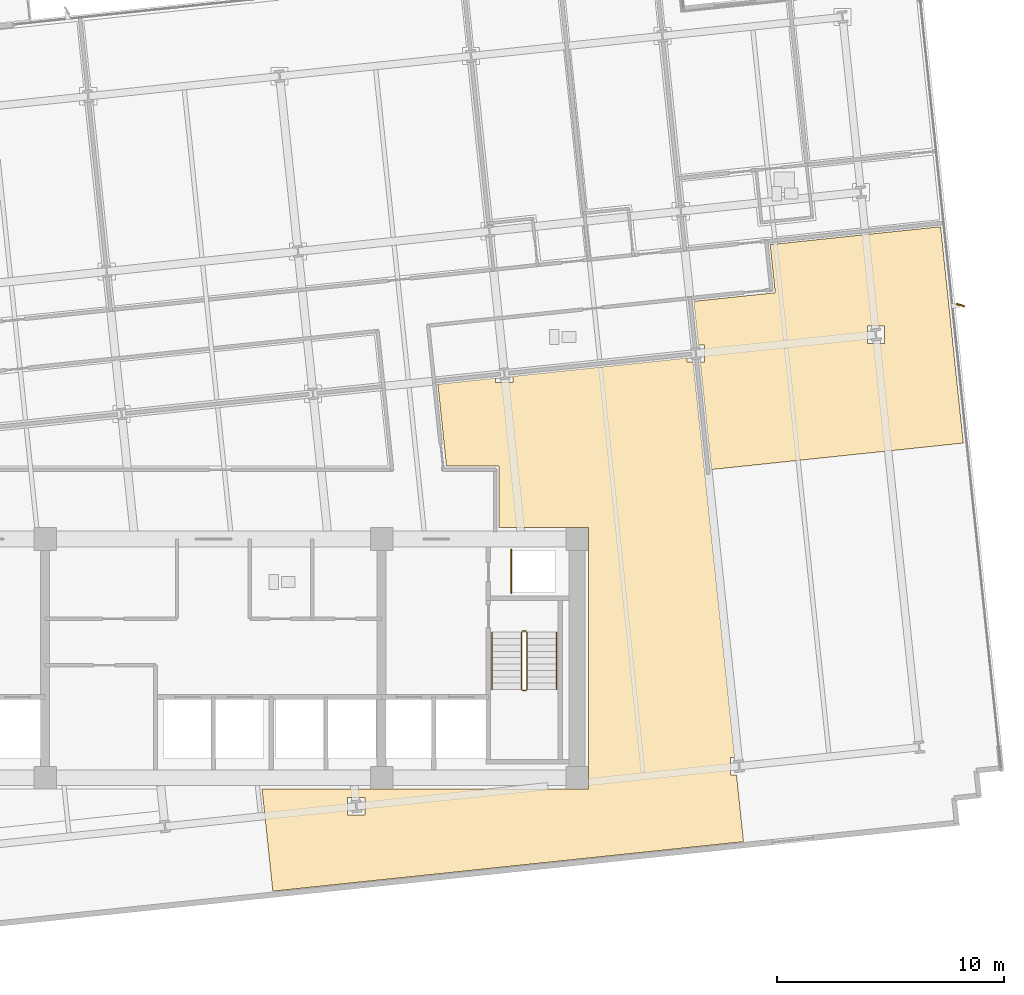
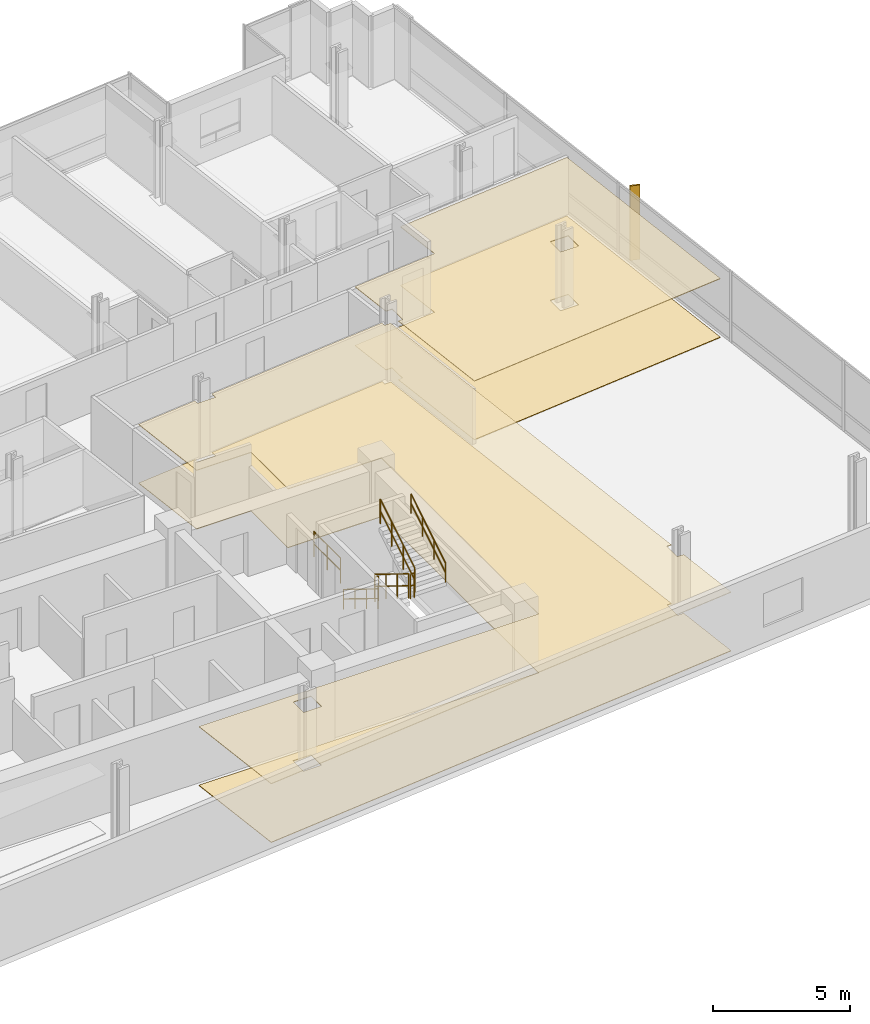
# One storey, part 18 of 21: 7 railings, 4 coverings, 1 shading device.
"""IFC4 building model written with IfcOpenShell, lengths in metres."""

from ifc_helpers import new_model, si_unit, direction, frame, origin, origin_2d, place, context, subcontext, project, spatial, polyline, rectangle, circle, outline, extrude, material, layer, layer_set, type_object, element, save


model = new_model("IFC4")

# Units and contexts
model_context = context("Model", 3, precision=1e-05, world=origin(), true_north=direction((0.0, 1.0)))
body_context = subcontext(model_context, "Body", "Model", "MODEL_VIEW")
ifc_project = project(units=[si_unit("LENGTHUNIT", "METRE"), si_unit("AREAUNIT", "SQUARE_METRE"), si_unit("VOLUMEUNIT", "CUBIC_METRE"), si_unit("PLANEANGLEUNIT", "RADIAN"), si_unit("MASSUNIT", "GRAM", prefix="KILO")], contexts=[model_context])

# Site, building, storey
site_placement = place(None, origin())
site = spatial("IfcSite", under=ifc_project, at=site_placement, CompositionType="ELEMENT")
building_placement = place(site_placement, origin())
building = spatial("IfcBuilding", under=site, at=building_placement, Name="Solmavex Isthmus Hotel", CompositionType="ELEMENT")
storey_placement = place(building_placement, frame((0.0, 0.0, 113.25)))
storey = spatial("IfcBuildingStorey", under=building, at=storey_placement, Name="L30", CompositionType="ELEMENT", Elevation=113.25)

# Coverings
ifc_material_1 = material(Name="Gypsum plasterboard lining", Category="gypsum")
ifc_layer_1 = layer(ifc_material_1, 0.030029296875)
ifc_layer_set_1 = layer_set([ifc_layer_1], Name="Gypsum plasterboard lining")
covering_type_1 = type_object("IfcCoveringType", Name="COV-CEIL-GYP", PredefinedType="CEILING", material=ifc_layer_set_1)
covering_1_placement = place(storey_placement, frame((0.0, 0.0, 2.6201171875)))
element("IfcCovering", 1, at=covering_1_placement, inside=storey, type_object=covering_type_1, Name="Suspended Acoustic Ceiling L30-FL12", PredefinedType="CEILING", context=body_context, shape_type="SweptSolid", body=[
    extrude(outline(polyline([(21.335693359375, 6.038330078125), (21.599609375, 6.038330078125), (21.599609375, 5.2783203125), (21.41552734375, 5.2783203125), (21.91162109375, 0.557861328125), (32.98876953125, 1.721923828125), (32.450927734375, 6.8388671875), (31.98828125, 11.239501953125), (24.49169921875, 10.45166015625), (24.71435546875, 8.333251953125), (21.134033203125, 7.95703125), (21.335693359375, 6.038330078125)]), holes=[polyline([(28.76416015625, 6.111328125), (28.76416015625, 6.871337890625), (29.524169921875, 6.871337890625), (29.524169921875, 6.111328125), (28.76416015625, 6.111328125)])]), origin(), (0.0, 0.0, 1.0), 0.02978515625),
])
covering_2_placement = place(storey_placement, frame((0.0, 0.0, 2.6201171875)))
element("IfcCovering", 2, at=covering_2_placement, inside=storey, type_object=covering_type_1, Name="Suspended Acoustic Ceiling L30-FL14", PredefinedType="CEILING", context=body_context, shape_type="SweptSolid", body=[
    extrude(outline(polyline([(13.18017578125, 4.657470703125), (13.18017578125, 4.393310546875), (12.420166015625, 4.393310546875), (12.420166015625, 4.57763671875), (9.87451171875, 4.31005859375), (10.25341796875, 0.705078125), (12.554931640625, 0.705078125), (12.554931640625, -1.9951171875), (16.5048828125, -1.9951171875), (16.5048828125, -13.5048828125), (2.141357421875, -13.5048828125), (2.61279296875, -17.9912109375), (23.32080078125, -15.814697265625), (23.011474609375, -12.87158203125), (22.747314453125, -12.87158203125), (22.747314453125, -12.111572265625), (22.931640625, -12.111572265625), (21.103759765625, 5.2783203125), (20.83984375, 5.2783203125), (20.83984375, 5.462646484375), (13.18017578125, 4.657470703125)]), holes=[polyline([(5.908203125, -14.6416015625), (5.908203125, -13.881591796875), (6.668212890625, -13.881591796875), (6.668212890625, -14.6416015625), (5.908203125, -14.6416015625)])]), origin(), (0.0, 0.0, 1.0), 0.02978515625),
])
ifc_material_2 = material(Name="Travertine natural stone", Category="masonry")
ifc_layer_2 = layer(ifc_material_2, 0.02490234375)
ifc_layer_set_2 = layer_set([ifc_layer_2], Name="Travertine natural stone")
covering_type_2 = type_object("IfcCoveringType", Name="COV-FLOR-STN", PredefinedType="FLOORING", material=ifc_layer_set_2)
covering_3_placement = place(storey_placement, origin())
element("IfcCovering", 3, at=covering_3_placement, inside=storey, type_object=covering_type_2, Name="Stone and Timber Floor Finish L30-FL12", PredefinedType="FLOORING", context=body_context, shape_type="SweptSolid", body=[
    extrude(outline(polyline([(21.335693359375, 6.038330078125), (21.599609375, 6.038330078125), (21.599609375, 5.2783203125), (21.41552734375, 5.2783203125), (21.91162109375, 0.557861328125), (32.98876953125, 1.721923828125), (32.450927734375, 6.8388671875), (31.98828125, 11.239501953125), (24.49169921875, 10.45166015625), (24.71435546875, 8.333251953125), (21.134033203125, 7.95703125), (21.335693359375, 6.038330078125)]), holes=[polyline([(28.76416015625, 6.111328125), (28.76416015625, 6.871337890625), (29.524169921875, 6.871337890625), (29.524169921875, 6.111328125), (28.76416015625, 6.111328125)])]), origin(), (0.0, 0.0, 1.0), 0.02490234375),
])
covering_4_placement = place(storey_placement, origin())
element("IfcCovering", 4, at=covering_4_placement, inside=storey, type_object=covering_type_2, Name="Stone and Timber Floor Finish L30-FL14", PredefinedType="FLOORING", context=body_context, shape_type="SweptSolid", body=[
    extrude(outline(polyline([(13.18017578125, 4.657470703125), (13.18017578125, 4.393310546875), (12.420166015625, 4.393310546875), (12.420166015625, 4.57763671875), (9.87451171875, 4.31005859375), (10.25341796875, 0.705078125), (12.554931640625, 0.705078125), (12.554931640625, -1.9951171875), (16.5048828125, -1.9951171875), (16.5048828125, -13.5048828125), (2.141357421875, -13.5048828125), (2.61279296875, -17.9912109375), (23.32080078125, -15.814697265625), (23.011474609375, -12.87158203125), (22.747314453125, -12.87158203125), (22.747314453125, -12.111572265625), (22.931640625, -12.111572265625), (21.103759765625, 5.2783203125), (20.83984375, 5.2783203125), (20.83984375, 5.462646484375), (13.18017578125, 4.657470703125)]), holes=[polyline([(5.908203125, -14.6416015625), (5.908203125, -13.881591796875), (6.668212890625, -13.881591796875), (6.668212890625, -14.6416015625), (5.908203125, -14.6416015625)])]), origin(), (0.0, 0.0, 1.0), 0.02490234375),
])

# Railings
ifc_material_3 = material(Name="Clear low-E laminated glass", Category="glass")
ifc_layer_3 = layer(ifc_material_3, 0.080078125)
ifc_layer_set_3 = layer_set([ifc_layer_3], Name="Clear low-E laminated glass")
railing_type_1 = type_object("IfcRailingType", Name="RAIL-ATRIUM-1120", PredefinedType="BALUSTRADE", material=ifc_layer_set_3)
railing_1_placement = place(storey_placement, frame((13.10009765625, -4.89990234375, 0.0)))
element("IfcRailing", 5, at=railing_1_placement, inside=storey, type_object=railing_type_1, Name="Guardrail Balustrade L30-RSE-01", PredefinedType="BALUSTRADE", context=body_context, shape_type="SweptSolid", body=[
    extrude(circle(Radius=0.02392578125, at=origin_2d()), frame((0.0, 0.0, 1.1259765625), z_axis=(0.0, 1.0, 0.0), x_axis=(-1.0, 0.0, 0.0)), (0.0, 0.0, 1.0), 1.949951171875),
    extrude(circle(Radius=0.02392578125, at=origin_2d()), frame((0.0, 0.0, 0.574951171875), z_axis=(0.0, 1.0, 0.0), x_axis=(-1.0, 0.0, 0.0)), (0.0, 0.0, 1.0), 1.949951171875),
    extrude(circle(Radius=0.02099609375, at=origin_2d()), origin(), (0.0, 0.0, 1.0), 1.101806640625),
    extrude(circle(Radius=0.02099609375, at=origin_2d()), frame((0.0, 0.97509765625, 0.0)), (0.0, 0.0, 1.0), 1.101806640625),
    extrude(circle(Radius=0.02099609375, at=origin_2d()), frame((0.0, 1.949951171875, 0.0)), (0.0, 0.0, 1.0), 1.101806640625),
])
ifc_material_4 = material(Name="Stainless steel 316", Category="steel")
ifc_layer_4 = layer(ifc_material_4, 0.06005859375)
ifc_layer_set_4 = layer_set([ifc_layer_4], Name="Stainless steel 316")
railing_type_2 = type_object("IfcRailingType", Name="RAIL-STAIR-GD", PredefinedType="GUARDRAIL", material=ifc_layer_set_4)
railing_2_placement = place(storey_placement, frame((13.550048828125, -6.60009765625, 0.172607421875)))
element("IfcRailing", 6, at=railing_2_placement, inside=storey, type_object=railing_type_2, Name="L30 ST-2 stair guard 1", PredefinedType="GUARDRAIL", context=body_context, shape_type="SweptSolid", body=[
    extrude(circle(Radius=0.02392578125, at=origin_2d()), frame((0.0, 0.0, 1.09619140625), z_axis=(0.0, -0.851400495292, 0.524516154772), x_axis=(1.0, 0.0, 0.0)), (0.0, 0.0, 1.0), 2.9599609375),
    extrude(circle(Radius=0.02392578125, at=origin_2d()), frame((0.0, 0.0, 0.56005859375), z_axis=(0.0, -0.851400495292, 0.524516154772), x_axis=(1.0, 0.0, 0.0)), (0.0, 0.0, 1.0), 2.9599609375),
    extrude(circle(Radius=0.02099609375, at=origin_2d()), origin(), (0.0, 0.0, 1.0), 1.072021484375),
    extrude(circle(Radius=0.02099609375, at=origin_2d()), frame((0.0, -0.840087890625, 0.517578125)), (0.0, 0.0, 1.0), 1.072021484375),
    extrude(circle(Radius=0.02099609375, at=origin_2d()), frame((0.0, -1.679931640625, 1.034912109375)), (0.0, 0.0, 1.0), 1.072021484375),
    extrude(circle(Radius=0.02099609375, at=origin_2d()), frame((0.0, -2.52001953125, 1.552490234375)), (0.0, 0.0, 1.0), 1.072021484375),
])
railing_3_placement = place(storey_placement, frame((13.60009765625, -9.169921875, 1.72509765625)))
element("IfcRailing", 7, at=railing_3_placement, inside=storey, type_object=railing_type_2, Name="L30 ST-2 stair guard 2", PredefinedType="GUARDRAIL", context=body_context, shape_type="SweptSolid", body=[
    extrude(circle(Radius=0.02392578125, at=origin_2d()), frame((0.0, 0.0, 1.09619140625), z_axis=(1.0, 0.0, 0.0), x_axis=(0.0, 1.0, 0.0)), (0.0, 0.0, 1.0), 0.14990234375),
    extrude(circle(Radius=0.02392578125, at=origin_2d()), frame((0.0, 0.0, 0.56005859375), z_axis=(1.0, 0.0, 0.0), x_axis=(0.0, 1.0, 0.0)), (0.0, 0.0, 1.0), 0.14990234375),
    extrude(circle(Radius=0.02099609375, at=origin_2d()), origin(), (0.0, 0.0, 1.0), 1.072021484375),
    extrude(circle(Radius=0.02099609375, at=origin_2d()), frame((0.14990234375, 0.0, 0.0)), (0.0, 0.0, 1.0), 1.072021484375),
])
railing_4_placement = place(storey_placement, frame((13.800048828125, -9.1201171875, 1.8974609375)))
element("IfcRailing", 8, at=railing_4_placement, inside=storey, type_object=railing_type_2, Name="L30 ST-2 stair guard 3", PredefinedType="GUARDRAIL", context=body_context, shape_type="SweptSolid", body=[
    extrude(circle(Radius=0.02392578125, at=origin_2d()), frame((0.0, 0.0, 1.09619140625), z_axis=(0.0, 0.851400495292, 0.524516154772), x_axis=(-1.0, 0.0, 0.0)), (0.0, 0.0, 1.0), 2.9599609375),
    extrude(circle(Radius=0.02392578125, at=origin_2d()), frame((0.0, 0.0, 0.56005859375), z_axis=(0.0, 0.851400495292, 0.524516154772), x_axis=(-1.0, 0.0, 0.0)), (0.0, 0.0, 1.0), 2.9599609375),
    extrude(circle(Radius=0.02099609375, at=origin_2d()), origin(), (0.0, 0.0, 1.0), 1.072021484375),
    extrude(circle(Radius=0.02099609375, at=origin_2d()), frame((0.0, 0.840087890625, 0.517578125)), (0.0, 0.0, 1.0), 1.072021484375),
    extrude(circle(Radius=0.02099609375, at=origin_2d()), frame((0.0, 1.679931640625, 1.034912109375)), (0.0, 0.0, 1.0), 1.072021484375),
    extrude(circle(Radius=0.02099609375, at=origin_2d()), frame((0.0, 2.52001953125, 1.552490234375)), (0.0, 0.0, 1.0), 1.072021484375),
])
railing_5_placement = place(storey_placement, frame((13.60009765625, -6.550048828125, 0.0)))
element("IfcRailing", 9, at=railing_5_placement, inside=storey, type_object=railing_type_2, Name="L30 ST-2 stair guard 4", PredefinedType="GUARDRAIL", context=body_context, shape_type="SweptSolid", body=[
    extrude(circle(Radius=0.02392578125, at=origin_2d()), frame((0.0, 0.0, 1.09619140625), z_axis=(1.0, 0.0, 0.0), x_axis=(0.0, 1.0, 0.0)), (0.0, 0.0, 1.0), 0.14990234375),
    extrude(circle(Radius=0.02392578125, at=origin_2d()), frame((0.0, 0.0, 0.56005859375), z_axis=(1.0, 0.0, 0.0), x_axis=(0.0, 1.0, 0.0)), (0.0, 0.0, 1.0), 0.14990234375),
    extrude(circle(Radius=0.02099609375, at=origin_2d()), origin(), (0.0, 0.0, 1.0), 1.072021484375),
    extrude(circle(Radius=0.02099609375, at=origin_2d()), frame((0.14990234375, 0.0, 0.0)), (0.0, 0.0, 1.0), 1.072021484375),
])
ifc_layer_5 = layer(ifc_material_4, 0.050048828125)
ifc_layer_set_5 = layer_set([ifc_layer_5], Name="Stainless steel 316")
railing_type_3 = type_object("IfcRailingType", Name="RAIL-STAIR-HR", PredefinedType="HANDRAIL", material=ifc_layer_set_5)
railing_6_placement = place(storey_placement, frame((12.25, -6.60009765625, 0.172607421875)))
element("IfcRailing", 10, at=railing_6_placement, inside=storey, type_object=railing_type_3, Name="L30 ST-2 stair handrail 1", PredefinedType="HANDRAIL", context=body_context, shape_type="SweptSolid", body=[
    extrude(circle(Radius=0.02392578125, at=origin_2d()), frame((0.0, 0.0, 0.8759765625), z_axis=(0.0, -0.851400495292, 0.524516154772), x_axis=(1.0, 0.0, 0.0)), (0.0, 0.0, 1.0), 2.9599609375),
    extrude(circle(Radius=0.02392578125, at=origin_2d()), frame((0.0, 0.0, 0.449951171875), z_axis=(0.0, -0.851400495292, 0.524516154772), x_axis=(1.0, 0.0, 0.0)), (0.0, 0.0, 1.0), 2.9599609375),
    extrude(circle(Radius=0.02099609375, at=origin_2d()), origin(), (0.0, 0.0, 1.0), 0.851806640625),
    extrude(circle(Radius=0.02099609375, at=origin_2d()), frame((0.0, -0.840087890625, 0.517578125)), (0.0, 0.0, 1.0), 0.851806640625),
    extrude(circle(Radius=0.02099609375, at=origin_2d()), frame((0.0, -1.679931640625, 1.034912109375)), (0.0, 0.0, 1.0), 0.851806640625),
    extrude(circle(Radius=0.02099609375, at=origin_2d()), frame((0.0, -2.52001953125, 1.552490234375)), (0.0, 0.0, 1.0), 0.851806640625),
])
railing_7_placement = place(storey_placement, frame((15.10009765625, -9.1201171875, 1.8974609375)))
element("IfcRailing", 11, at=railing_7_placement, inside=storey, type_object=railing_type_3, Name="L30 ST-2 stair handrail 2", PredefinedType="HANDRAIL", context=body_context, shape_type="SweptSolid", body=[
    extrude(circle(Radius=0.02392578125, at=origin_2d()), frame((0.0, 0.0, 0.8759765625), z_axis=(0.0, 0.851400495292, 0.524516154772), x_axis=(-1.0, 0.0, 0.0)), (0.0, 0.0, 1.0), 2.9599609375),
    extrude(circle(Radius=0.02392578125, at=origin_2d()), frame((0.0, 0.0, 0.449951171875), z_axis=(0.0, 0.851400495292, 0.524516154772), x_axis=(-1.0, 0.0, 0.0)), (0.0, 0.0, 1.0), 2.9599609375),
    extrude(circle(Radius=0.02099609375, at=origin_2d()), origin(), (0.0, 0.0, 1.0), 0.851806640625),
    extrude(circle(Radius=0.02099609375, at=origin_2d()), frame((0.0, 0.840087890625, 0.517578125)), (0.0, 0.0, 1.0), 0.851806640625),
    extrude(circle(Radius=0.02099609375, at=origin_2d()), frame((0.0, 1.679931640625, 1.034912109375)), (0.0, 0.0, 1.0), 0.851806640625),
    extrude(circle(Radius=0.02099609375, at=origin_2d()), frame((0.0, 2.52001953125, 1.552490234375)), (0.0, 0.0, 1.0), 0.851806640625),
])

# Shading device
ifc_material_5 = material(Name="Aluminium alloy 6063-T6", Category="aluminium")
shading_device_type = type_object("IfcShadingDeviceType", Name="SHD-FIN-CHAMP", PredefinedType="USERDEFINED", material=ifc_material_5)
shading_device_placement = place(storey_placement, frame((32.868896484375, 7.78759765625, -0.14013671875), z_axis=(0.0, 0.0, 1.0), x_axis=(0.951056516295, -0.309016994375, 0.0)))
element("IfcShadingDevice", 12, at=shading_device_placement, inside=storey, type_object=shading_device_type, Name="Anodised Aluminium Solar Fin L30-E1", ObjectType="SOLAR_FIN", PredefinedType="USERDEFINED", context=body_context, shape_type="SweptSolid", body=[
    extrude(rectangle(XDim=0.3798828125, YDim=0.070068359375, at=origin_2d()), origin(), (0.0, 0.0, 1.0), 3.330078125),
])

save(model, "model.ifc")
